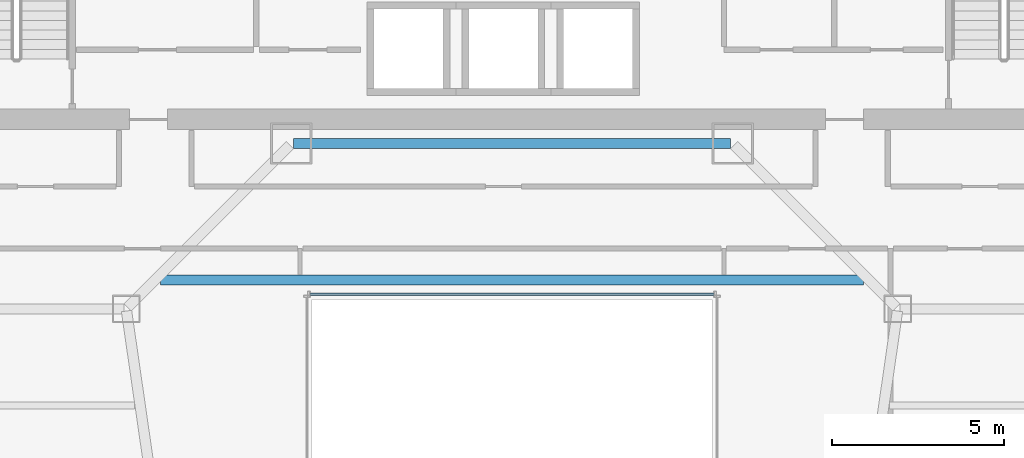
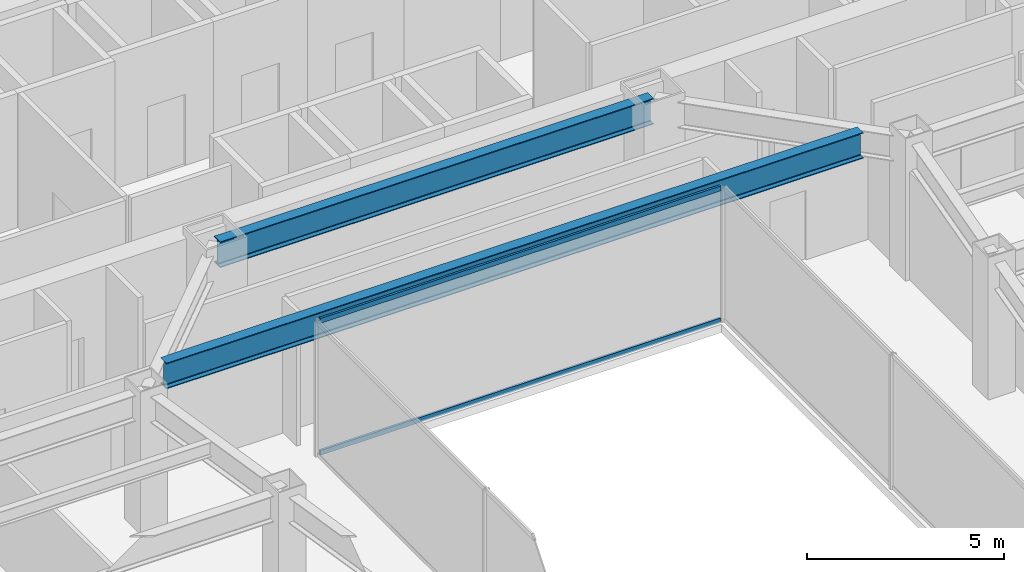
# One storey, part 25 of 47: 2 beams, 2 members, 1 element without a shape of its own.
"""IFC4 building model written with IfcOpenShell, lengths in metres."""

from ifc_helpers import new_model, si_unit, direction, frame, origin, origin_2d, place, context, subcontext, project, spatial, hollow_rectangle, i_section, extrude, material, material_profile, profile_set, type_object, element, aggregate, save


model = new_model("IFC4")

# Units and contexts
model_context = context("Model", 3, precision=1e-05, world=origin(), true_north=direction((0.0, 1.0)))
body_context = subcontext(model_context, "Body", "Model", "MODEL_VIEW")
ifc_project = project(units=[si_unit("LENGTHUNIT", "METRE"), si_unit("AREAUNIT", "SQUARE_METRE"), si_unit("VOLUMEUNIT", "CUBIC_METRE"), si_unit("PLANEANGLEUNIT", "RADIAN"), si_unit("MASSUNIT", "GRAM", prefix="KILO")], contexts=[model_context])

# Site, building, storey
site_placement = place(None, origin())
site = spatial("IfcSite", under=ifc_project, at=site_placement, CompositionType="ELEMENT")
building_placement = place(site_placement, origin())
building = spatial("IfcBuilding", under=site, at=building_placement, Name="Saevonmaru Cultural Tower", CompositionType="ELEMENT")
storey_placement = place(building_placement, frame((0.0, 0.0, 64.800048828125)))
storey = spatial("IfcBuildingStorey", under=building, at=storey_placement, Name="L13", CompositionType="ELEMENT", Elevation=64.800048828125)

# Beams
ifc_material_1 = material(Name="Steel SM420", Category="steel")
ifc_material_profile_1 = material_profile(ifc_material_1, i_section(OverallWidth=0.300048828125, OverallDepth=0.800048828125, WebThickness=0.013916015625, FlangeThickness=0.02587890625, FilletRadius=0.028076171875, at=origin_2d()), Name="H-800x300x14x26")
ifc_profile_set_1 = profile_set([ifc_material_profile_1], Name="Steel SM420")
beam_type = type_object("IfcBeamType", Name="BM-G-H800", PredefinedType="BEAM", material=ifc_profile_set_1)
beam_1_placement = place(storey_placement, frame((23.659912109375, 42.39990234375, 3.75), z_axis=(1.0, 0.0, 0.0), x_axis=(0.0, 1.0, 0.0)))
element("IfcBeam", 1, at=beam_1_placement, inside=storey, type_object=beam_type, Name="L13 Core South Girder 3", PredefinedType="BEAM", context=body_context, shape_type="SweptSolid", body=[
    extrude(i_section(OverallWidth=0.300048828125, OverallDepth=0.800048828125, WebThickness=0.013916015625, FlangeThickness=0.02587890625, FilletRadius=0.028076171875, at=origin_2d()), origin(), (0.0, 0.0, 1.0), 12.68017578125),
])
beam_2_placement = place(storey_placement, frame((19.8046875, 38.43994140625, 3.75), z_axis=(1.0, 0.0, 0.0), x_axis=(0.0, 1.0, 0.0)))
element("IfcBeam", 2, at=beam_2_placement, inside=storey, type_object=beam_type, Name="L13 Central Link Girder", PredefinedType="BEAM", context=body_context, shape_type="SweptSolid", body=[
    extrude(i_section(OverallWidth=0.300048828125, OverallDepth=0.800048828125, WebThickness=0.013916015625, FlangeThickness=0.02587890625, FilletRadius=0.028076171875, at=origin_2d()), origin(), (0.0, 0.0, 1.0), 20.390625),
])

# Curtain wall, members
ifc_material_2 = material(Name="Satin Bronze Anodised Aluminium", Category="aluminium")
curtain_wall_type = type_object("IfcCurtainWallType", Name="CW-ATR-GLZ", PredefinedType="NOTDEFINED", material=ifc_material_2)
curtain_wall_placement = place(storey_placement, origin())
curtain_wall = element("IfcCurtainWall", 3, at=curtain_wall_placement, inside=storey, type_object=curtain_wall_type, Name="L13 Vertical Atrium Glazed Smoke Screen 3", PredefinedType="NOTDEFINED")
ifc_material_profile_2 = material_profile(ifc_material_2, hollow_rectangle(XDim=0.06494140625, YDim=0.14990234375, WallThickness=0.00390625, at=origin_2d()), Name="ALU-TRAN-150x65x4")
ifc_profile_set_2 = profile_set([ifc_material_profile_2], Name="Satin Bronze Anodised Aluminium")
member_type = type_object("IfcMemberType", Name="TR-CW-INT-150x65", PredefinedType="USERDEFINED", material=ifc_profile_set_2)
member_1_placement = place(storey_placement, frame((35.857421875, 38.030029296875, 0.032470703125), z_axis=(-1.0, 0.0, 0.0), x_axis=(0.0, -1.0, 0.0)))
member_1 = element("IfcMember", 4, at=member_1_placement, type_object=member_type, Name="CW-ATR-L13-3 transom 1.1", ObjectType="TRANSOM", PredefinedType="USERDEFINED", context=body_context, shape_type="SweptSolid", body=[
    extrude(hollow_rectangle(XDim=0.06494140625, YDim=0.14990234375, WallThickness=0.00390625, at=origin_2d()), origin(), (0.0, 0.0, 1.0), 11.71484375),
])
member_2_placement = place(storey_placement, frame((35.857421875, 38.030029296875, 4.117431640625), z_axis=(-1.0, 0.0, 0.0), x_axis=(0.0, -1.0, 0.0)))
member_2 = element("IfcMember", 5, at=member_2_placement, type_object=member_type, Name="CW-ATR-L13-3 transom 1.2", ObjectType="TRANSOM", PredefinedType="USERDEFINED", context=body_context, shape_type="SweptSolid", body=[
    extrude(hollow_rectangle(XDim=0.06494140625, YDim=0.14990234375, WallThickness=0.00390625, at=origin_2d()), origin(), (0.0, 0.0, 1.0), 11.71484375),
])
aggregate(curtain_wall, [member_1, member_2])

save(model, "model.ifc")
